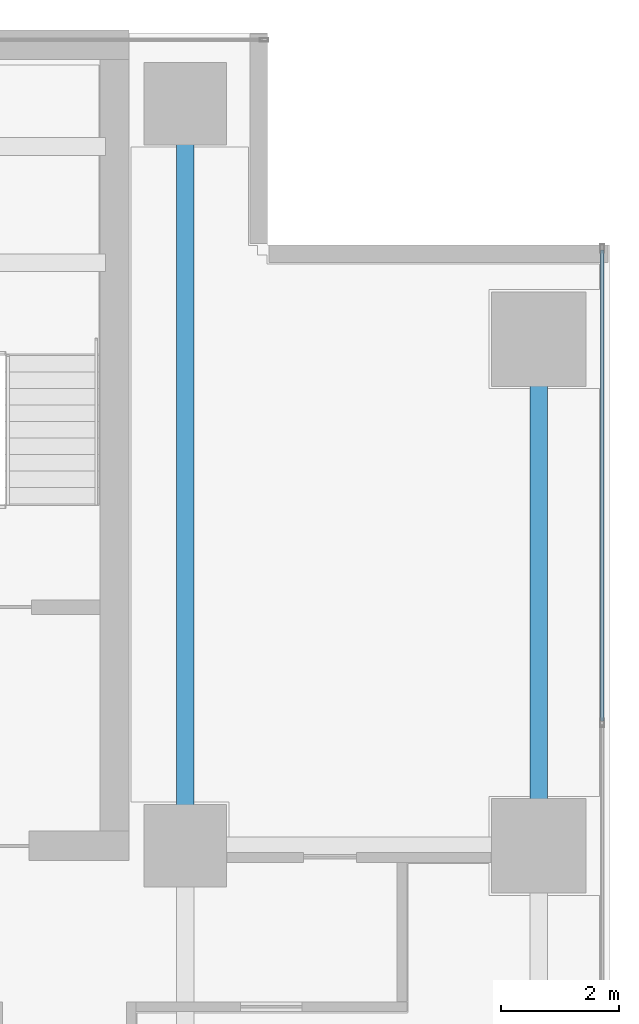
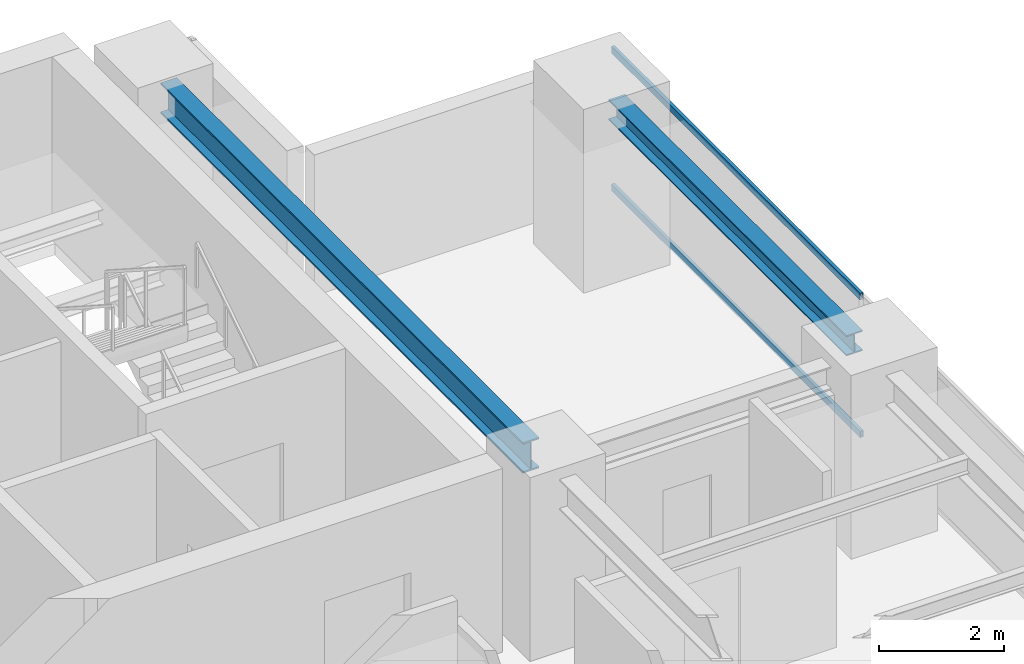
# One storey, part 18 of 29: 2 beams, 2 members, 1 element without a shape of its own.
"""IFC4 building model written with IfcOpenShell, lengths in metres."""

from ifc_helpers import new_model, si_unit, direction, frame, origin, origin_2d, place, context, subcontext, project, spatial, hollow_rectangle, i_section, extrude, source, transform, mapped, material, layer, layer_set, material_profile, profile_set, type_object, element, aggregate, save


model = new_model("IFC4")

# Units and contexts
model_context = context("Model", 3, precision=1e-05, world=origin(), true_north=direction((0.0, 1.0)))
body_context = subcontext(model_context, "Body", "Model", "MODEL_VIEW")
ifc_project = project(units=[si_unit("LENGTHUNIT", "METRE"), si_unit("AREAUNIT", "SQUARE_METRE"), si_unit("VOLUMEUNIT", "CUBIC_METRE"), si_unit("PLANEANGLEUNIT", "RADIAN"), si_unit("MASSUNIT", "GRAM", prefix="KILO")], contexts=[model_context])

# Site, building, storey
site_placement = place(None, origin())
site = spatial("IfcSite", under=ifc_project, at=site_placement, CompositionType="ELEMENT")
building_placement = place(site_placement, origin())
building = spatial("IfcBuilding", under=site, at=building_placement, Name="Sumidabori Civic Tower", CompositionType="ELEMENT")
storey_placement = place(building_placement, frame((0.0, 0.0, 218.0)))
storey = spatial("IfcBuildingStorey", under=building, at=storey_placement, Name="L56", CompositionType="ELEMENT", Elevation=218.0)

# Beams
ifc_material_1 = material(Name="Steel SN490", Category="steel")
ifc_material_profile_1 = material_profile(ifc_material_1, i_section(OverallWidth=0.300048828125, OverallDepth=0.39990234375, WebThickness=0.013427734375, FlangeThickness=0.02392578125, at=origin_2d()), Name="HE 400 B")
ifc_profile_set_1 = profile_set([ifc_material_profile_1], Name="Steel SN490")
beam_type_1 = type_object("IfcBeamType", Name="BM-GIRD-400", PredefinedType="BEAM", material=ifc_profile_set_1)
shared_shape_1 = source(origin(), body_context, "Body", "SweptSolid", [
    extrude(i_section(OverallWidth=0.300048828125, OverallDepth=0.39990234375, WebThickness=0.013427734375, FlangeThickness=0.02392578125, at=origin_2d()), origin(), (0.0, 0.0, 1.0), 7.64013671875),
])
beam_1_placement = place(storey_placement, frame((22.800048828125, 10.679931640625, 3.179931640625), z_axis=(0.0, 1.0, 0.0), x_axis=(-1.0, 0.0, 0.0)))
element("IfcBeam", 1, at=beam_1_placement, inside=storey, type_object=beam_type_1, Name="Primary Girder L56 GY-24", PredefinedType="BEAM", context=body_context, shape_type="MappedRepresentation", body=[
    mapped(shared_shape_1, transform((0.0, 0.0, 0.0), x_axis=(1.0, 0.0, 0.0), y_axis=(0.0, 1.0, 0.0), z_axis=(0.0, 0.0, 1.0), scale=1.0)),
])
ifc_material_profile_2 = material_profile(ifc_material_1, i_section(OverallWidth=0.300048828125, OverallDepth=0.60009765625, WebThickness=0.015380859375, FlangeThickness=0.030029296875, at=origin_2d()), Name="HE 600 B")
ifc_profile_set_2 = profile_set([ifc_material_profile_2], Name="Steel SN490")
beam_type_2 = type_object("IfcBeamType", Name="BM-GIRD-600", PredefinedType="BEAM", material=ifc_profile_set_2)
shared_shape_2 = source(origin(), body_context, "Body", "SweptSolid", [
    extrude(i_section(OverallWidth=0.300048828125, OverallDepth=0.60009765625, WebThickness=0.015380859375, FlangeThickness=0.030029296875, at=origin_2d()), origin(), (0.0, 0.0, 1.0), 11.64013671875),
])
beam_2_placement = place(storey_placement, frame((16.800048828125, 10.679931640625, 3.080078125), z_axis=(0.0, 1.0, 0.0), x_axis=(-1.0, 0.0, 0.0)))
element("IfcBeam", 2, at=beam_2_placement, inside=storey, type_object=beam_type_2, Name="Primary Girder L56 GY-21", PredefinedType="BEAM", context=body_context, shape_type="MappedRepresentation", body=[
    mapped(shared_shape_2, transform((0.0, 0.0, 0.0), x_axis=(1.0, 0.0, 0.0), y_axis=(0.0, 1.0, 0.0), z_axis=(0.0, 0.0, 1.0), scale=1.0)),
])

# Curtain wall, members
ifc_material_2 = material(Name="Anodised Bronze Aluminium AW-6063-T6", Category="aluminium")
ifc_layer = layer(ifc_material_2, 0.179931640625, Name="Anodised Bronze Aluminium AW-6063-T6")
ifc_layer_set = layer_set([ifc_layer], Name="Anodised Bronze Aluminium AW-6063-T6")
curtain_wall_type = type_object("IfcCurtainWallType", Name="CW-SYS-5", PredefinedType="NOTDEFINED", material=ifc_layer_set)
curtain_wall_placement = place(storey_placement, origin())
curtain_wall = element("IfcCurtainWall", 3, at=curtain_wall_placement, inside=storey, type_object=curtain_wall_type, Name="Curtain Wall CW:L56:R10", PredefinedType="NOTDEFINED")
ifc_material_profile_3 = material_profile(ifc_material_2, hollow_rectangle(XDim=0.06005859375, YDim=0.1298828125, WallThickness=0.0048828125, at=origin_2d()), Name="ALU TRANSOM 130x60")
ifc_profile_set_3 = profile_set([ifc_material_profile_3], Name="Anodised Bronze Aluminium AW-6063-T6")
member_type = type_object("IfcMemberType", Name="CW-TRN-130", PredefinedType="USERDEFINED", material=ifc_profile_set_3)
shared_shape_3 = source(origin(), body_context, "Body", "SweptSolid", [
    extrude(hollow_rectangle(XDim=0.06005859375, YDim=0.1298828125, WallThickness=0.0048828125, at=origin_2d()), origin(), (0.0, 0.0, 1.0), 7.9951171875),
])
member_1_placement = place(storey_placement, frame((23.8798828125, 12.31494140625, 0.030029296875), z_axis=(0.0, 1.0, 0.0), x_axis=(-1.0, 0.0, 0.0)))
member_1 = element("IfcMember", 4, at=member_1_placement, type_object=member_type, Name="CW-5 transom 4.1", ObjectType="TRANSOM", PredefinedType="USERDEFINED", context=body_context, shape_type="MappedRepresentation", body=[
    mapped(shared_shape_3, transform((0.0, 0.0, 0.0), x_axis=(1.0, 0.0, 0.0), y_axis=(0.0, 1.0, 0.0), z_axis=(0.0, 0.0, 1.0), scale=1.0)),
])
member_2_placement = place(storey_placement, frame((23.8798828125, 12.31494140625, 2.72998046875), z_axis=(0.0, 1.0, 0.0), x_axis=(-1.0, 0.0, 0.0)))
member_2 = element("IfcMember", 5, at=member_2_placement, type_object=member_type, Name="CW-5 transom 4.2", ObjectType="TRANSOM", PredefinedType="USERDEFINED", context=body_context, shape_type="MappedRepresentation", body=[
    mapped(shared_shape_3, transform((0.0, 0.0, 0.0), x_axis=(1.0, 0.0, 0.0), y_axis=(0.0, 1.0, 0.0), z_axis=(0.0, 0.0, 1.0), scale=1.0)),
])
aggregate(curtain_wall, [member_1, member_2])

save(model, "model.ifc")
